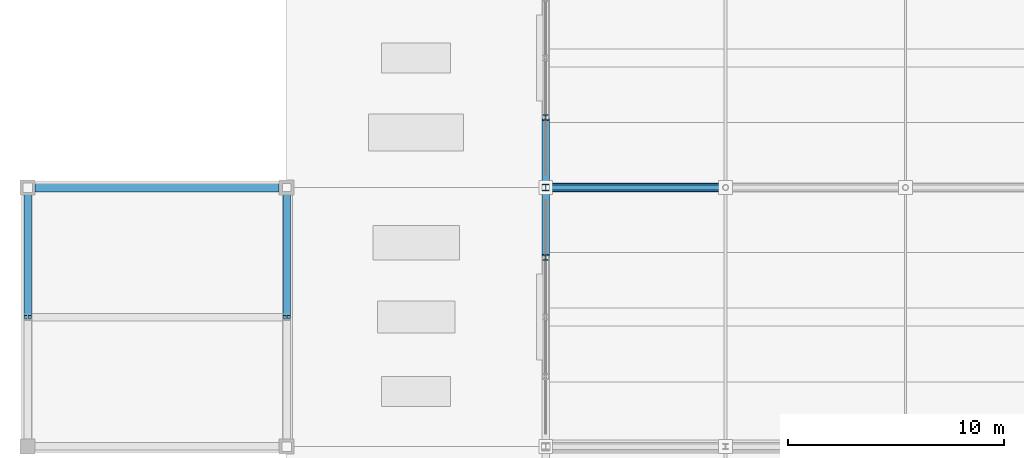
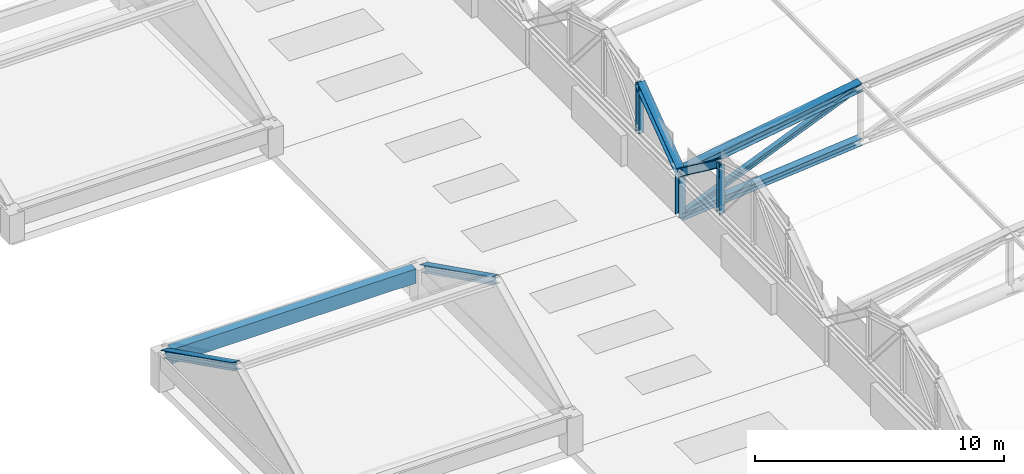
# One storey, part 30 of 117: 10 members, 1 beam.
"""IFC4 building model written with IfcOpenShell, lengths in metres."""

from ifc_helpers import new_model, si_unit, direction, frame, origin, origin_2d, place, context, subcontext, project, spatial, rectangle, i_section, extrude, material, material_profile, profile_set, type_object, element, save


model = new_model("IFC4")

# Units and contexts
model_context = context("Model", 3, precision=1e-05, world=origin(), true_north=direction((0.0, 1.0)))
body_context = subcontext(model_context, "Body", "Model", "MODEL_VIEW")
ifc_project = project(units=[si_unit("LENGTHUNIT", "METRE"), si_unit("AREAUNIT", "SQUARE_METRE"), si_unit("VOLUMEUNIT", "CUBIC_METRE"), si_unit("PLANEANGLEUNIT", "RADIAN"), si_unit("MASSUNIT", "GRAM", prefix="KILO")], contexts=[model_context])

# Site, building, storey
site_placement = place(None, origin())
site = spatial("IfcSite", under=ifc_project, at=site_placement, CompositionType="ELEMENT")
building_placement = place(site_placement, origin())
building = spatial("IfcBuilding", under=site, at=building_placement, Name="Kazenohara Klinker Stadium", CompositionType="ELEMENT")
storey_placement = place(building_placement, frame((0.0, 0.0, 31.199951171875)))
storey = spatial("IfcBuildingStorey", under=building, at=storey_placement, Name="RF", CompositionType="ELEMENT", Elevation=31.199951171875)

# Beam
ifc_material_1 = material(Name="Concrete C40/50", Category="concrete")
ifc_material_profile_1 = material_profile(ifc_material_1, rectangle(XDim=0.39990234375, YDim=0.699951171875, at=origin_2d()), Name="RC-BM-400x700")
ifc_profile_set_1 = profile_set([ifc_material_profile_1], Name="Concrete C40/50")
beam_type = type_object("IfcBeamType", Name="BM-RC04", PredefinedType="BEAM", material=ifc_profile_set_1)
beam_placement = place(storey_placement, frame((0.35009765625, 96.0, 1.449951171875), z_axis=(1.0, 0.0, 0.0), x_axis=(0.0, 1.0, 0.0)))
element("IfcBeam", 1, at=beam_placement, inside=storey, type_object=beam_type, Name="Turret crown eave girder BG04 RF X0-8", PredefinedType="BEAM", context=body_context, shape_type="SweptSolid", body=[
    extrude(rectangle(XDim=0.39990234375, YDim=0.699951171875, at=origin_2d()), origin(), (0.0, 0.0, 1.0), 11.2998046875),
])

# Members
ifc_material_2 = material(Name="Steel S355", Category="steel")
ifc_material_profile_2 = material_profile(ifc_material_2, i_section(OverallWidth=0.25, OverallDepth=0.25, WebThickness=0.009033203125, FlangeThickness=0.013916015625, FilletRadius=0.012939453125, at=origin_2d()), Name="H-250x250x9x14")
ifc_profile_set_2 = profile_set([ifc_material_profile_2], Name="Steel S355")
member_type_1 = type_object("IfcMemberType", Name="MEM-BRC02", PredefinedType="BRACE", material=ifc_profile_set_2)
member_1_placement = place(storey_placement, frame((24.0, 96.0, -0.02001953125), z_axis=(0.923164118975, 0.0, 0.384406047608), x_axis=(0.0, 1.0, 0.0)))
element("IfcMember", 2, at=member_1_placement, inside=storey, type_object=member_type_1, Name="ROOF TRUSS RT-W05 web diagonal 1", PredefinedType="BRACE", context=body_context, shape_type="SweptSolid", body=[
    extrude(i_section(OverallWidth=0.25, OverallDepth=0.25, WebThickness=0.009033203125, FlangeThickness=0.013916015625, FilletRadius=0.012939453125, at=origin_2d()), origin(), (0.0, 0.0, 1.0), 9.02685546875),
])
ifc_material_profile_3 = material_profile(ifc_material_2, i_section(OverallWidth=0.39990234375, OverallDepth=0.39990234375, WebThickness=0.012939453125, FlangeThickness=0.02099609375, FilletRadius=0.02197265625, at=origin_2d()), Name="H-400x400x13x21")
ifc_profile_set_3 = profile_set([ifc_material_profile_3], Name="Steel S355")
member_type_2 = type_object("IfcMemberType", Name="MEM-CHD01", PredefinedType="CHORD", material=ifc_profile_set_3)
member_2_placement = place(storey_placement, frame((24.0, 96.0, 2.10009765625), z_axis=(0.987133250968, 0.0, 0.159899796227), x_axis=(0.0, 1.0, 0.0)))
element("IfcMember", 3, at=member_2_placement, inside=storey, type_object=member_type_2, Name="ROOF TRUSS RT-W05 top arched chord 1", PredefinedType="CHORD", context=body_context, shape_type="SweptSolid", body=[
    extrude(i_section(OverallWidth=0.39990234375, OverallDepth=0.39990234375, WebThickness=0.012939453125, FlangeThickness=0.02099609375, FilletRadius=0.02197265625, at=origin_2d()), origin(), (0.0, 0.0, 1.0), 8.44189453125),
])
ifc_material_profile_4 = material_profile(ifc_material_2, i_section(OverallWidth=0.35009765625, OverallDepth=0.35009765625, WebThickness=0.011962890625, FlangeThickness=0.01904296875, FilletRadius=0.012939453125, at=origin_2d()), Name="H-350x350x12x19")
ifc_profile_set_4 = profile_set([ifc_material_profile_4], Name="Steel S355")
member_type_3 = type_object("IfcMemberType", Name="MEM-CHD02", PredefinedType="CHORD", material=ifc_profile_set_4)
for number, where, z_axis, x_axis, name in (
    (4, (0.0, 95.75, 1.780029296875), (0.0, -0.894730901211, 0.44660565874), (1.0, 0.0, 0.0), "Crown gable rafter WPAV-07 W North"),
    (5, (12.0, 95.75, 1.780029296875), (0.0, -0.894730901211, 0.44660565874), (1.0, 0.0, 0.0), "Crown gable rafter WPAV-07 E North"),
):
    element("IfcMember", number, at=place(storey_placement, frame(where, z_axis=z_axis, x_axis=x_axis)), inside=storey, type_object=member_type_3, Name=name, PredefinedType="CHORD", context=body_context, shape_type="SweptSolid", body=[
        extrude(i_section(OverallWidth=0.35009765625, OverallDepth=0.35009765625, WebThickness=0.011962890625, FlangeThickness=0.01904296875, FilletRadius=0.012939453125, at=origin_2d()), origin(), (0.0, 0.0, 1.0), 6.426513671875),
    ])
member_3_placement = place(storey_placement, frame((24.0, 96.0, -0.02001953125), z_axis=(0.995757965817, 0.0, 0.092011268397), x_axis=(0.0, 1.0, 0.0)))
element("IfcMember", 6, at=member_3_placement, inside=storey, type_object=member_type_3, Name="ROOF TRUSS RT-W05 bottom arched chord 1", PredefinedType="CHORD", context=body_context, shape_type="SweptSolid", body=[
    extrude(i_section(OverallWidth=0.35009765625, OverallDepth=0.35009765625, WebThickness=0.011962890625, FlangeThickness=0.01904296875, FilletRadius=0.012939453125, at=origin_2d()), origin(), (0.0, 0.0, 1.0), 8.36865234375),
])
for number, where, z_axis, x_axis, name in (
    (7, (24.0, 92.760009765625, 4.5), (0.0, 0.803567919639, -0.595213069856), (-1.0, 0.0, 0.0), "Barrel arch top rib TC02 W-04-N0-S4"),
    (8, (24.0, 96.0, 2.10009765625), (0.0, 0.803567919639, 0.595213069856), (-1.0, 0.0, 0.0), "Barrel arch top rib TC02 W-05-N0-S1"),
):
    element("IfcMember", number, at=place(storey_placement, frame(where, z_axis=z_axis, x_axis=x_axis)), inside=storey, type_object=member_type_3, Name=name, PredefinedType="CHORD", context=body_context, shape_type="SweptSolid", body=[
        extrude(i_section(OverallWidth=0.35009765625, OverallDepth=0.35009765625, WebThickness=0.011962890625, FlangeThickness=0.01904296875, FilletRadius=0.012939453125, at=origin_2d()), origin(), (0.0, 0.0, 1.0), 4.031982421875),
    ])
ifc_material_profile_5 = material_profile(ifc_material_2, i_section(OverallWidth=0.300048828125, OverallDepth=0.300048828125, WebThickness=0.010009765625, FlangeThickness=0.014892578125, FilletRadius=0.012939453125, at=origin_2d()), Name="H-300x300x10x15")
ifc_profile_set_5 = profile_set([ifc_material_profile_5], Name="Steel S355")
member_type_4 = type_object("IfcMemberType", Name="MEM-STR01", PredefinedType="STRUT", material=ifc_profile_set_5)
member_4_placement = place(storey_placement, frame((24.0, 96.0, -0.02001953125), z_axis=(0.0, 0.0, 1.0), x_axis=(1.0, 0.0, 0.0)))
element("IfcMember", 9, at=member_4_placement, inside=storey, type_object=member_type_4, Name="ROOF TRUSS RT-W05 web post 1", PredefinedType="STRUT", context=body_context, shape_type="SweptSolid", body=[
    extrude(i_section(OverallWidth=0.300048828125, OverallDepth=0.300048828125, WebThickness=0.010009765625, FlangeThickness=0.014892578125, FilletRadius=0.012939453125, at=origin_2d()), origin(), (0.0, 0.0, 1.0), 2.1201171875),
])
ifc_material_profile_6 = material_profile(ifc_material_2, i_section(OverallWidth=0.25, OverallDepth=0.25, WebThickness=0.009033203125, FlangeThickness=0.013916015625, FilletRadius=0.012939453125, at=origin_2d()), Name="H-250x250x9x14")
ifc_profile_set_6 = profile_set([ifc_material_profile_6], Name="Steel S355")
member_type_5 = type_object("IfcMemberType", Name="MEM-STR02", PredefinedType="STRUT", material=ifc_profile_set_6)
for number, where, z_axis, x_axis, name in (
    (10, (24.0, 92.760009765625, 2.10009765625), (0.0, 0.0, 1.0), (1.0, 0.0, 0.0), "Barrel arch web post TS02 W-04-N0-P3"),
    (11, (24.0, 99.239990234375, 2.10009765625), (0.0, 0.0, 1.0), (1.0, 0.0, 0.0), "Barrel arch web post TS02 W-05-N0-P1"),
):
    element("IfcMember", number, at=place(storey_placement, frame(where, z_axis=z_axis, x_axis=x_axis)), inside=storey, type_object=member_type_5, Name=name, PredefinedType="STRUT", context=body_context, shape_type="SweptSolid", body=[
        extrude(i_section(OverallWidth=0.25, OverallDepth=0.25, WebThickness=0.009033203125, FlangeThickness=0.013916015625, FilletRadius=0.012939453125, at=origin_2d()), origin(), (0.0, 0.0, 1.0), 2.39990234375),
    ])

save(model, "model.ifc")
